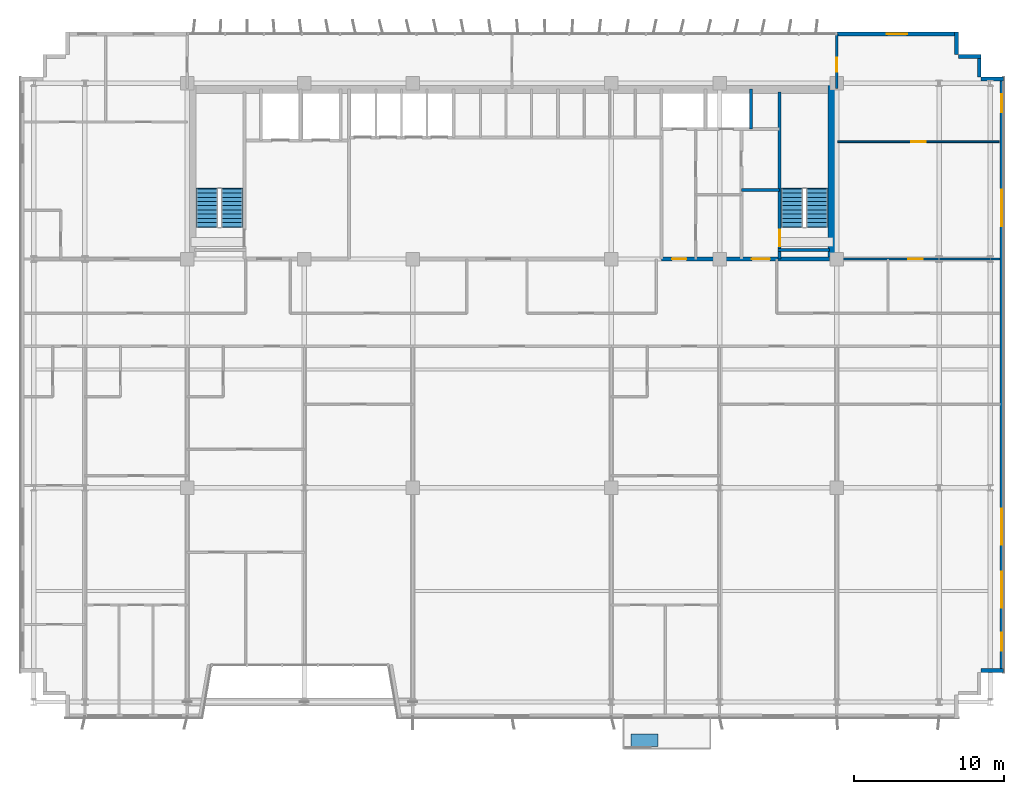
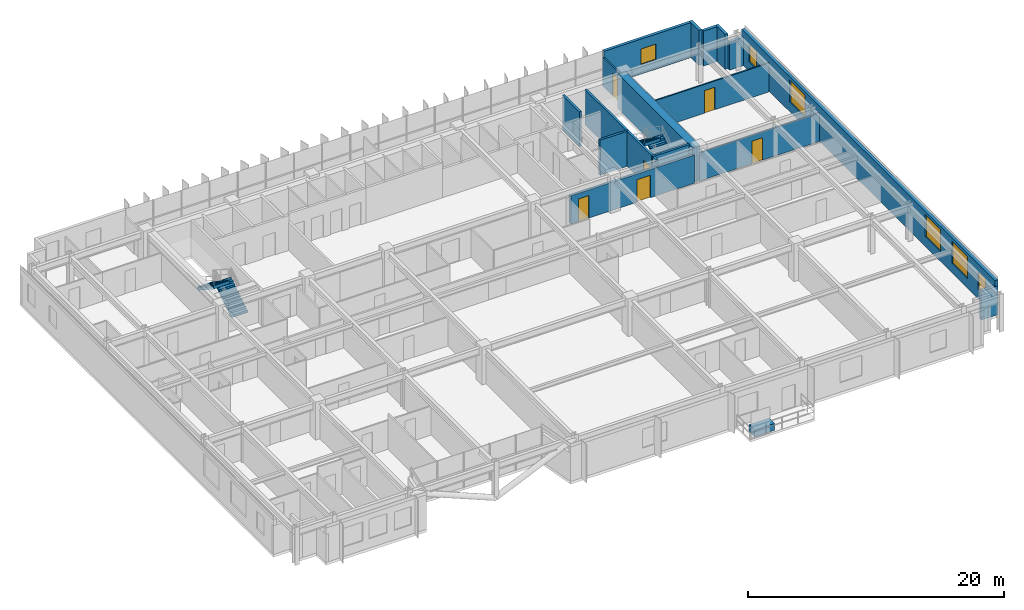
# One storey, part 22 of 25: 16 walls, 6 doors, 6 windows, 4 stair flights, 1 discrete accessory, 12 openings, 2 elements without a shape of their own.
"""IFC4 building model written with IfcOpenShell, lengths in metres."""

from ifc_helpers import new_model, si_unit, direction, frame, frame_2d, origin, origin_2d, place, context, subcontext, project, spatial, polyline, rectangle, outline, extrude, source, transform, mapped, material, layer, layer_set, type_object, element, fill, aggregate, save


model = new_model("IFC4")

# Units and contexts
model_context = context("Model", 3, precision=1e-05, world=origin(), true_north=direction((0.0, 1.0)))
body_context = subcontext(model_context, "Body", "Model", "MODEL_VIEW")
ifc_project = project(units=[si_unit("LENGTHUNIT", "METRE"), si_unit("AREAUNIT", "SQUARE_METRE"), si_unit("VOLUMEUNIT", "CUBIC_METRE"), si_unit("PLANEANGLEUNIT", "RADIAN"), si_unit("MASSUNIT", "GRAM", prefix="KILO")], contexts=[model_context])

# Site, building, storey
site_placement = place(None, origin())
site = spatial("IfcSite", under=ifc_project, at=site_placement, CompositionType="ELEMENT")
building_placement = place(site_placement, origin())
building = spatial("IfcBuilding", under=site, at=building_placement, Name="Trelvane Seafront Commons", CompositionType="ELEMENT")
storey_placement = place(building_placement, frame((0.0, 0.0, 66.699951171875)))
storey = spatial("IfcBuildingStorey", under=building, at=storey_placement, Name="L17", CompositionType="ELEMENT", Elevation=66.699951171875)

# Wall, opening, window
ifc_material_1 = material(Name="Precast concrete C40/50", Category="concrete")
ifc_layer_1 = layer(ifc_material_1, 0.260009765625, Name="ARCH-WALL-EXT260")
ifc_layer_set_1 = layer_set([ifc_layer_1], Name="Precast concrete C40/50")
wall_type_1 = type_object("IfcWallType", Name="ARCH-WALL-EXT260", PredefinedType="SOLIDWALL", material=ifc_layer_set_1)
wall_1_placement = place(storey_placement, frame((58.800048828125, 48.3701171875, 0.0), z_axis=(0.0, 0.0, 1.0), x_axis=(1.0, 0.0, 0.0)))
wall_1 = element("IfcWall", 1, at=wall_1_placement, inside=storey, type_object=wall_type_1, Name="EW-L17-NE-0302", PredefinedType="SOLIDWALL", context=body_context, shape_type="SweptSolid", body=[
    extrude(rectangle(XDim=8.0, YDim=0.260009765625, at=frame_2d((4.0, 0.0))), origin(), (0.0, 0.0, 1.0), 3.340087890625),
])
opening_1_placement = place(wall_1_placement, frame((3.324951171875, 0.0, 0.89990234375)))
opening_1 = element("IfcOpeningElement", 2, at=opening_1_placement, cuts=wall_1, Name="Opening W09", PredefinedType="OPENING", context=body_context, shape_type="SweptSolid", body=[
    extrude(rectangle(XDim=1.35009765625, YDim=1.5, at=frame_2d((0.675048828125, 0.75))), frame((0.0, 0.139892578125, 0.0), z_axis=(0.0, -1.0, 0.0), x_axis=(1.0, 0.0, 0.0)), (0.0, 0.0, 1.0), 0.280029296875),
])
ifc_material_2 = material(Name="Low-E coastal double glazing", Category="glass")
window_type_1 = type_object("IfcWindowType", Name="ARCH-WIN-W09", PartitioningType="SINGLE_PANEL", PredefinedType="WINDOW", material=ifc_material_2)
shared_shape_1 = source(origin(), body_context, "Body", "SweptSolid", [
    extrude(rectangle(XDim=1.35009765625, YDim=1.5, at=frame_2d((0.675048828125, 0.75))), frame((0.0, 0.030029296875, 0.0), z_axis=(0.0, -1.0, 0.0), x_axis=(1.0, 0.0, 0.0)), (0.0, 0.0, 1.0), 0.06005859375),
])
window_1_placement = place(opening_1_placement, origin())
window_1 = element("IfcWindow", 3, at=window_1_placement, inside=storey, type_object=window_type_1, Name="WIN-L17-00357", OverallHeight=1.5, OverallWidth=1.35009765625, PartitioningType="SINGLE_PANEL", PredefinedType="WINDOW", context=body_context, shape_type="MappedRepresentation", body=[
    mapped(shared_shape_1, transform((0.0, 0.0, 0.0), x_axis=(1.0, 0.0, 0.0), y_axis=(0.0, 1.0, 0.0), z_axis=(0.0, 0.0, 1.0), scale=1.0)),
])
fill(opening_1, window_1)

# Walls
for number, where, z_axis, x_axis, name in (
    (4, (66.77001953125, 48.5, 0.0), (0.0, 0.0, 1.0), (0.0, -1.0, 0.0), "EW-L17-00311"),
    (5, (66.89990234375, 46.8701171875, 0.0), (0.0, 0.0, 1.0), (1.0, 0.0, 0.0), "EW-L17-00312"),
    (6, (68.27001953125, 47.0, 0.0), (0.0, 0.0, 1.0), (0.0, -1.0, 0.0), "EW-L17-00313"),
):
    element("IfcWall", number, at=place(storey_placement, frame(where, z_axis=z_axis, x_axis=x_axis)), inside=storey, type_object=wall_type_1, Name=name, PredefinedType="SOLIDWALL", context=body_context, shape_type="SweptSolid", body=[
        extrude(rectangle(XDim=1.5, YDim=0.260009765625, at=frame_2d((0.75, 0.0))), origin(), (0.0, 0.0, 1.0), 3.340087890625),
    ])
wall_2_placement = place(storey_placement, frame((68.39990234375, 45.3701171875, 0.0), z_axis=(0.0, 0.0, 1.0), x_axis=(1.0, 0.0, 0.0)))
element("IfcWall", 7, at=wall_2_placement, inside=storey, type_object=wall_type_1, Name="EW-L17-00314", PredefinedType="SOLIDWALL", context=body_context, shape_type="SweptSolid", body=[
    extrude(rectangle(XDim=1.5, YDim=0.260009765625, at=frame_2d((0.75, 0.0))), origin(), (0.0, 0.0, 1.0), 2.68994140625),
])

# Wall, openings, windows
wall_3_placement = place(storey_placement, frame((69.77001953125, 45.5, 0.0), z_axis=(0.0, 0.0, 1.0), x_axis=(0.0, -1.0, 0.0)))
wall_3 = element("IfcWall", 8, at=wall_3_placement, inside=storey, type_object=wall_type_1, Name="EW-L17-00315", PredefinedType="SOLIDWALL", context=body_context, shape_type="SweptSolid", body=[
    extrude(rectangle(XDim=39.60009765625, YDim=0.260009765625, at=frame_2d((19.800048828125, 0.0))), origin(), (0.0, 0.0, 1.0), 3.340087890625),
])
opening_2_placement = place(wall_3_placement, frame((36.949951171875, 0.0, 0.919921875)))
opening_2 = element("IfcOpeningElement", 9, at=opening_2_placement, cuts=wall_3, Name="Opening W05", PredefinedType="OPENING", context=body_context, shape_type="SweptSolid", body=[
    extrude(rectangle(XDim=1.199951171875, YDim=1.64990234375, at=frame_2d((0.60009765625, 0.824951171875))), frame((0.0, 0.139892578125, 0.0), z_axis=(0.0, -1.0, 0.0), x_axis=(1.0, 0.0, 0.0)), (0.0, 0.0, 1.0), 0.280029296875),
])
opening_3_placement = place(wall_3_placement, frame((32.89990234375, 0.0, 0.919921875)))
opening_3 = element("IfcOpeningElement", 10, at=opening_3_placement, cuts=wall_3, Name="Opening W08", PredefinedType="OPENING", context=body_context, shape_type="SweptSolid", body=[
    extrude(rectangle(XDim=2.39990234375, YDim=2.10009765625, at=frame_2d((1.199951171875, 1.050048828125))), frame((0.0, 0.139892578125, 0.0), z_axis=(0.0, -1.0, 0.0), x_axis=(1.0, 0.0, 0.0)), (0.0, 0.0, 1.0), 0.280029296875),
])
opening_4_placement = place(wall_3_placement, frame((28.699951171875, 0.0, 0.919921875)))
opening_4 = element("IfcOpeningElement", 11, at=opening_4_placement, cuts=wall_3, Name="Opening W08", PredefinedType="OPENING", context=body_context, shape_type="SweptSolid", body=[
    extrude(rectangle(XDim=2.39990234375, YDim=2.10009765625, at=frame_2d((1.199951171875, 1.050048828125))), frame((0.0, 0.139892578125, 0.0), z_axis=(0.0, -1.0, 0.0), x_axis=(1.0, 0.0, 0.0)), (0.0, 0.0, 1.0), 0.280029296875),
])
opening_5_placement = place(wall_3_placement, frame((7.5, 0.0, 0.919921875)))
opening_5 = element("IfcOpeningElement", 12, at=opening_5_placement, cuts=wall_3, Name="Opening W08", PredefinedType="OPENING", context=body_context, shape_type="SweptSolid", body=[
    extrude(rectangle(XDim=2.39990234375, YDim=2.10009765625, at=frame_2d((1.199951171875, 1.050048828125))), frame((0.0, 0.139892578125, 0.0), z_axis=(0.0, -1.0, 0.0), x_axis=(1.0, 0.0, 0.0)), (0.0, 0.0, 1.0), 0.280029296875),
])
opening_6_placement = place(wall_3_placement, frame((1.14990234375, 0.0, 0.919921875)))
opening_6 = element("IfcOpeningElement", 13, at=opening_6_placement, cuts=wall_3, Name="Opening W05", PredefinedType="OPENING", context=body_context, shape_type="SweptSolid", body=[
    extrude(rectangle(XDim=1.199951171875, YDim=1.64990234375, at=frame_2d((0.60009765625, 0.824951171875))), frame((0.0, 0.139892578125, 0.0), z_axis=(0.0, -1.0, 0.0), x_axis=(1.0, 0.0, 0.0)), (0.0, 0.0, 1.0), 0.280029296875),
])
window_type_2 = type_object("IfcWindowType", Name="ARCH-WIN-W08", PartitioningType="SINGLE_PANEL", PredefinedType="WINDOW", material=ifc_material_2)
shared_shape_2 = source(origin(), body_context, "Body", "SweptSolid", [
    extrude(rectangle(XDim=2.39990234375, YDim=2.10009765625, at=frame_2d((1.199951171875, 1.050048828125))), frame((0.0, 0.030029296875, 0.0), z_axis=(0.0, -1.0, 0.0), x_axis=(1.0, 0.0, 0.0)), (0.0, 0.0, 1.0), 0.06005859375),
])
window_2_placement = place(opening_3_placement, origin())
window_2 = element("IfcWindow", 14, at=window_2_placement, inside=storey, type_object=window_type_2, Name="WIN-L17-EW-00364", OverallHeight=2.10009765625, OverallWidth=2.39990234375, PartitioningType="SINGLE_PANEL", PredefinedType="WINDOW", context=body_context, shape_type="MappedRepresentation", body=[
    mapped(shared_shape_2, transform((0.0, 0.0, 0.0), x_axis=(1.0, 0.0, 0.0), y_axis=(0.0, 1.0, 0.0), z_axis=(0.0, 0.0, 1.0), scale=1.0)),
])
fill(opening_3, window_2)
window_3_placement = place(opening_4_placement, origin())
window_3 = element("IfcWindow", 15, at=window_3_placement, inside=storey, type_object=window_type_2, Name="WIN-L17-EW-00365", OverallHeight=2.10009765625, OverallWidth=2.39990234375, PartitioningType="SINGLE_PANEL", PredefinedType="WINDOW", context=body_context, shape_type="MappedRepresentation", body=[
    mapped(shared_shape_2, transform((0.0, 0.0, 0.0), x_axis=(1.0, 0.0, 0.0), y_axis=(0.0, 1.0, 0.0), z_axis=(0.0, 0.0, 1.0), scale=1.0)),
])
fill(opening_4, window_3)
window_4_placement = place(opening_5_placement, origin())
window_4 = element("IfcWindow", 16, at=window_4_placement, inside=storey, type_object=window_type_2, Name="WIN-L17-EW-00366", OverallHeight=2.10009765625, OverallWidth=2.39990234375, PartitioningType="SINGLE_PANEL", PredefinedType="WINDOW", context=body_context, shape_type="MappedRepresentation", body=[
    mapped(shared_shape_2, transform((0.0, 0.0, 0.0), x_axis=(1.0, 0.0, 0.0), y_axis=(0.0, 1.0, 0.0), z_axis=(0.0, 0.0, 1.0), scale=1.0)),
])
fill(opening_5, window_4)
window_type_3 = type_object("IfcWindowType", Name="ARCH-WIN-W05", PartitioningType="SINGLE_PANEL", PredefinedType="WINDOW", material=ifc_material_2)
shared_shape_3 = source(origin(), body_context, "Body", "SweptSolid", [
    extrude(rectangle(XDim=1.199951171875, YDim=1.64990234375, at=frame_2d((0.60009765625, 0.824951171875))), frame((0.0, 0.030029296875, 0.0), z_axis=(0.0, -1.0, 0.0), x_axis=(1.0, 0.0, 0.0)), (0.0, 0.0, 1.0), 0.06005859375),
])
window_5_placement = place(opening_2_placement, origin())
window_5 = element("IfcWindow", 17, at=window_5_placement, inside=storey, type_object=window_type_3, Name="WIN-L17-EW-00363", OverallHeight=1.64990234375, OverallWidth=1.199951171875, PartitioningType="SINGLE_PANEL", PredefinedType="WINDOW", context=body_context, shape_type="MappedRepresentation", body=[
    mapped(shared_shape_3, transform((0.0, 0.0, 0.0), x_axis=(1.0, 0.0, 0.0), y_axis=(0.0, 1.0, 0.0), z_axis=(0.0, 0.0, 1.0), scale=1.0)),
])
fill(opening_2, window_5)
window_6_placement = place(opening_6_placement, origin())
window_6 = element("IfcWindow", 18, at=window_6_placement, inside=storey, type_object=window_type_3, Name="WIN-L17-EW-00367", OverallHeight=1.64990234375, OverallWidth=1.199951171875, PartitioningType="SINGLE_PANEL", PredefinedType="WINDOW", context=body_context, shape_type="MappedRepresentation", body=[
    mapped(shared_shape_3, transform((0.0, 0.0, 0.0), x_axis=(1.0, 0.0, 0.0), y_axis=(0.0, 1.0, 0.0), z_axis=(0.0, 0.0, 1.0), scale=1.0)),
])
fill(opening_6, window_6)

# Walls
wall_4_placement = place(storey_placement, frame((69.89990234375, 6.030029296875, 0.0), z_axis=(0.0, 0.0, 1.0), x_axis=(-1.0, 0.0, 0.0)))
element("IfcWall", 19, at=wall_4_placement, inside=storey, type_object=wall_type_1, Name="EW-L17-00316", PredefinedType="SOLIDWALL", context=body_context, shape_type="SweptSolid", body=[
    extrude(rectangle(XDim=1.5, YDim=0.260009765625, at=frame_2d((0.75, 0.0))), origin(), (0.0, 0.0, 1.0), 2.751953125),
])
ifc_material_3 = material(Name="Concrete C40/50", Category="concrete")
ifc_layer_2 = layer(ifc_material_3, 0.199951171875, Name="ARCH-WALL-FIRE200")
ifc_layer_set_2 = layer_set([ifc_layer_2], Name="Concrete C40/50")
wall_type_2 = type_object("IfcWallType", Name="ARCH-WALL-FIRE200", PredefinedType="PARTITIONING", material=ifc_layer_set_2)
wall_5_placement = place(storey_placement, frame((52.449951171875, 38.0, 0.0), z_axis=(0.0, 0.0, 1.0), x_axis=(1.0, 0.0, 0.0)))
element("IfcWall", 20, at=wall_5_placement, inside=storey, type_object=wall_type_2, Name="W-L17-ST2V-N-034", PredefinedType="PARTITIONING", context=body_context, shape_type="SweptSolid", body=[
    extrude(rectangle(XDim=2.550048828125, YDim=0.199951171875, at=frame_2d((1.27490234375, 0.0))), origin(), (0.0, 0.0, 1.0), 3.340087890625),
])

# Wall, openings, doors
ifc_layer_3 = layer(ifc_material_3, 0.25, Name="ARCH-WALL-FIRE250")
ifc_layer_set_3 = layer_set([ifc_layer_3], Name="Concrete C40/50")
wall_type_3 = type_object("IfcWallType", Name="ARCH-WALL-FIRE250", PredefinedType="PARTITIONING", material=ifc_layer_set_3)
wall_6_placement = place(storey_placement, frame((47.14990234375, 33.39990234375, 0.0), z_axis=(0.0, 0.0, 1.0), x_axis=(1.0, 0.0, 0.0)))
wall_6 = element("IfcWall", 21, at=wall_6_placement, inside=storey, type_object=wall_type_3, Name="W-L17-CS-EAST-037", PredefinedType="PARTITIONING", context=body_context, shape_type="SweptSolid", body=[
    extrude(rectangle(XDim=11.150146484375, YDim=0.25, at=frame_2d((5.5751953125, 0.0))), origin(), (0.0, 0.0, 1.0), 2.68994140625),
])
opening_7_placement = place(wall_6_placement, frame((0.699951171875, 0.0, 0.0)))
opening_7 = element("IfcOpeningElement", 22, at=opening_7_placement, cuts=wall_6, Name="Opening FD-L17-16", PredefinedType="OPENING", context=body_context, shape_type="SweptSolid", body=[
    extrude(rectangle(XDim=0.949951171875, YDim=2.14990234375, at=frame_2d((0.47509765625, 1.074951171875))), frame((0.0, 0.135009765625, 0.0), z_axis=(0.0, -1.0, 0.0), x_axis=(1.0, 0.0, 0.0)), (0.0, 0.0, 1.0), 0.27001953125),
])
opening_8_placement = place(wall_6_placement, frame((6.0, 0.0, 0.0)))
opening_8 = element("IfcOpeningElement", 23, at=opening_8_placement, cuts=wall_6, Name="Opening FD-L17-17", PredefinedType="OPENING", context=body_context, shape_type="SweptSolid", body=[
    extrude(rectangle(XDim=1.199951171875, YDim=2.14990234375, at=frame_2d((0.60009765625, 1.074951171875))), frame((0.0, 0.135009765625, 0.0), z_axis=(0.0, -1.0, 0.0), x_axis=(1.0, 0.0, 0.0)), (0.0, 0.0, 1.0), 0.27001953125),
])
ifc_material_4 = material(Name="Powder-coated aluminium frame", Category="aluminium")
door_type_1 = type_object("IfcDoorType", Name="ARCH-DR-FD60-950", OperationType="NOTDEFINED", PredefinedType="DOOR", material=ifc_material_4)
shared_shape_4 = source(origin(), body_context, "Body", "SweptSolid", [
    extrude(rectangle(XDim=0.949951171875, YDim=2.14990234375, at=frame_2d((0.47509765625, 1.074951171875))), frame((0.0, 0.02490234375, 0.0), z_axis=(0.0, -1.0, 0.0), x_axis=(1.0, 0.0, 0.0)), (0.0, 0.0, 1.0), 0.050048828125),
])
door_1_placement = place(opening_7_placement, origin())
door_1 = element("IfcDoor", 24, at=door_1_placement, inside=storey, type_object=door_type_1, Name="L17 Core Service Lobby Door", OperationType="SINGLE_SWING_RIGHT", OverallHeight=2.14990234375, OverallWidth=0.949951171875, PredefinedType="DOOR", context=body_context, shape_type="MappedRepresentation", body=[
    mapped(shared_shape_4, transform((0.0, 0.0, 0.0), x_axis=(1.0, 0.0, 0.0), y_axis=(0.0, 1.0, 0.0), z_axis=(0.0, 0.0, 1.0), scale=1.0)),
])
fill(opening_7, door_1)
door_type_2 = type_object("IfcDoorType", Name="ARCH-DR-FD60-1200", OperationType="NOTDEFINED", PredefinedType="DOOR", material=ifc_material_4)
shared_shape_5 = source(origin(), body_context, "Body", "SweptSolid", [
    extrude(rectangle(XDim=1.199951171875, YDim=2.14990234375, at=frame_2d((0.60009765625, 1.074951171875))), frame((0.0, 0.02490234375, 0.0), z_axis=(0.0, -1.0, 0.0), x_axis=(1.0, 0.0, 0.0)), (0.0, 0.0, 1.0), 0.050048828125),
])
door_2_placement = place(opening_8_placement, origin())
door_2 = element("IfcDoor", 25, at=door_2_placement, inside=storey, type_object=door_type_2, Name="L17 East Stair Vestibule Fire Door", OperationType="SINGLE_SWING_LEFT", OverallHeight=2.14990234375, OverallWidth=1.199951171875, PredefinedType="DOOR", context=body_context, shape_type="MappedRepresentation", body=[
    mapped(shared_shape_5, transform((0.0, 0.0, 0.0), x_axis=(1.0, 0.0, 0.0), y_axis=(0.0, 1.0, 0.0), z_axis=(0.0, 0.0, 1.0), scale=1.0)),
])
fill(opening_8, door_2)

# Wall, opening, door
ifc_material_5 = material(Name="Gypsum Drywall Acoustic Partition")
ifc_layer_4 = layer(ifc_material_5, 0.1201171875, Name="ARCH-WALL-PART120")
ifc_layer_set_4 = layer_set([ifc_layer_4], Name="Gypsum Drywall Acoustic Partition")
wall_type_4 = type_object("IfcWallType", Name="ARCH-WALL-PART120", PredefinedType="PARTITIONING", material=ifc_layer_set_4)
wall_7_placement = place(storey_placement, frame((58.85009765625, 41.199951171875, 0.0), z_axis=(0.0, 0.0, 1.0), x_axis=(1.0, 0.0, 0.0)))
wall_7 = element("IfcWall", 26, at=wall_7_placement, inside=storey, type_object=wall_type_4, Name="W-L17-NE-LGDV-055", PredefinedType="PARTITIONING", context=body_context, shape_type="SweptSolid", body=[
    extrude(rectangle(XDim=10.75, YDim=0.1201171875, at=frame_2d((5.375, 0.0))), origin(), (0.0, 0.0, 1.0), 2.751953125),
])
opening_9_placement = place(wall_7_placement, frame((4.89990234375, 0.0, 0.0)))
opening_9 = element("IfcOpeningElement", 27, at=opening_9_placement, cuts=wall_7, Name="Opening D-L17-27", PredefinedType="OPENING", context=body_context, shape_type="SweptSolid", body=[
    extrude(rectangle(XDim=0.949951171875, YDim=2.14990234375, at=frame_2d((0.47509765625, 1.074951171875))), frame((0.0, 0.070068359375, 0.0), z_axis=(0.0, -1.0, 0.0), x_axis=(1.0, 0.0, 0.0)), (0.0, 0.0, 1.0), 0.14013671875),
])
ifc_material_6 = material(Name="Acoustic timber door leaf", Category="wood")
door_type_3 = type_object("IfcDoorType", Name="ARCH-DR-INT950", OperationType="NOTDEFINED", PredefinedType="DOOR", material=ifc_material_6)
door_3_placement = place(opening_9_placement, origin())
door_3 = element("IfcDoor", 28, at=door_3_placement, inside=storey, type_object=door_type_3, Name="L17 Door 27", OperationType="SINGLE_SWING_LEFT", OverallHeight=2.14990234375, OverallWidth=0.949951171875, PredefinedType="DOOR", context=body_context, shape_type="MappedRepresentation", body=[
    mapped(shared_shape_4, transform((0.0, 0.0, 0.0), x_axis=(1.0, 0.0, 0.0), y_axis=(0.0, 1.0, 0.0), z_axis=(0.0, 0.0, 1.0), scale=1.0)),
])
fill(opening_9, door_3)

ifc_layer_5 = layer(ifc_material_5, 0.14990234375, Name="ARCH-WALL-PART150")
ifc_layer_set_5 = layer_set([ifc_layer_5], Name="Gypsum Drywall Acoustic Partition")
wall_type_5 = type_object("IfcWallType", Name="ARCH-WALL-PART150", PredefinedType="PARTITIONING", material=ifc_layer_set_5)
wall_8_placement = place(storey_placement, frame((58.800048828125, 33.39990234375, 0.0), z_axis=(0.0, 0.0, 1.0), x_axis=(1.0, 0.0, 0.0)))
wall_8 = element("IfcWall", 29, at=wall_8_placement, inside=storey, type_object=wall_type_5, Name="W-L17-NE-ENT-056", PredefinedType="PARTITIONING", context=body_context, shape_type="SweptSolid", body=[
    extrude(rectangle(XDim=10.849853515625, YDim=0.14990234375, at=frame_2d((5.4248046875, 0.0))), origin(), (0.0, 0.0, 1.0), 2.68994140625),
])
opening_10_placement = place(wall_8_placement, frame((4.760009765625, 0.0, 0.0)))
opening_10 = element("IfcOpeningElement", 30, at=opening_10_placement, cuts=wall_8, Name="Opening FD-L17-28", PredefinedType="OPENING", context=body_context, shape_type="SweptSolid", body=[
    extrude(rectangle(XDim=0.949951171875, YDim=2.14990234375, at=frame_2d((0.47509765625, 1.074951171875))), frame((0.0, 0.0849609375, 0.0), z_axis=(0.0, -1.0, 0.0), x_axis=(1.0, 0.0, 0.0)), (0.0, 0.0, 1.0), 0.169921875),
])
door_4_placement = place(opening_10_placement, origin())
door_4 = element("IfcDoor", 31, at=door_4_placement, inside=storey, type_object=door_type_1, Name="L17 NE Suite Entrance Door", OperationType="SINGLE_SWING_RIGHT", OverallHeight=2.14990234375, OverallWidth=0.949951171875, PredefinedType="DOOR", context=body_context, shape_type="MappedRepresentation", body=[
    mapped(shared_shape_4, transform((0.0, 0.0, 0.0), x_axis=(1.0, 0.0, 0.0), y_axis=(0.0, 1.0, 0.0), z_axis=(0.0, 0.0, 1.0), scale=1.0)),
])
fill(opening_10, door_4)

wall_9_placement = place(storey_placement, frame((58.800048828125, 44.75, 0.0), z_axis=(0.0, 0.0, 1.0), x_axis=(0.0, 1.0, 0.0)))
wall_9 = element("IfcWall", 32, at=wall_9_placement, inside=storey, type_object=wall_type_5, Name="W-L17-N-LINK-E-059", PredefinedType="PARTITIONING", context=body_context, shape_type="SweptSolid", body=[
    extrude(rectangle(XDim=3.610107421875, YDim=0.14990234375, at=frame_2d((1.80517578125, 0.0))), origin(), (0.0, 0.0, 1.0), 2.751953125),
])
opening_11_placement = place(wall_9_placement, frame((1.10009765625, 0.0, 0.0)))
opening_11 = element("IfcOpeningElement", 33, at=opening_11_placement, cuts=wall_9, Name="Opening FD-L17-31", PredefinedType="OPENING", context=body_context, shape_type="SweptSolid", body=[
    extrude(rectangle(XDim=0.949951171875, YDim=2.14990234375, at=frame_2d((0.47509765625, 1.074951171875))), frame((0.0, 0.0849609375, 0.0), z_axis=(0.0, -1.0, 0.0), x_axis=(1.0, 0.0, 0.0)), (0.0, 0.0, 1.0), 0.169921875),
])
door_5_placement = place(opening_11_placement, origin())
door_5 = element("IfcDoor", 34, at=door_5_placement, inside=storey, type_object=door_type_1, Name="L17 Door 31", OperationType="SINGLE_SWING_LEFT", OverallHeight=2.14990234375, OverallWidth=0.949951171875, PredefinedType="DOOR", context=body_context, shape_type="MappedRepresentation", body=[
    mapped(shared_shape_4, transform((0.0, 0.0, 0.0), x_axis=(1.0, 0.0, 0.0), y_axis=(0.0, 1.0, 0.0), z_axis=(0.0, 0.0, 1.0), scale=1.0)),
])
fill(opening_11, door_5)

# Walls
ifc_layer_6 = layer(ifc_material_3, 0.199951171875, Name="ARCH-WALL-SHAFT200")
ifc_layer_set_6 = layer_set([ifc_layer_6], Name="Concrete C40/50")
wall_type_6 = type_object("IfcWallType", Name="ARCH-WALL-SHAFT200", PredefinedType="SOLIDWALL", material=ifc_layer_set_6)
wall_10_placement = place(storey_placement, frame((53.10009765625, 42.050048828125, 0.0), z_axis=(0.0, 0.0, 1.0), x_axis=(0.0, 1.0, 0.0)))
element("IfcWall", 35, at=wall_10_placement, inside=storey, type_object=wall_type_6, Name="W-L17-RSR-E-032", PredefinedType="SOLIDWALL", context=body_context, shape_type="SweptSolid", body=[
    extrude(rectangle(XDim=2.64990234375, YDim=0.199951171875, at=frame_2d((1.324951171875, 0.0))), origin(), (0.0, 0.0, 1.0), 3.340087890625),
])
ifc_material_7 = material(Name="Concrete C60/75", Category="concrete")
ifc_layer_7 = layer(ifc_material_7, 0.699951171875, Name="STR-WALL-CORE700")
ifc_layer_set_7 = layer_set([ifc_layer_7], Name="Concrete C60/75")
wall_type_7 = type_object("IfcWallType", Name="STR-WALL-CORE700", PredefinedType="SHEAR", material=ifc_layer_set_7)
wall_11_placement = place(storey_placement, frame((58.550048828125, 33.39990234375, 0.0), z_axis=(0.0, 0.0, 1.0), x_axis=(0.0, 1.0, 0.0)))
element("IfcWall", 36, at=wall_11_placement, inside=storey, type_object=wall_type_7, Name="W-L17-CE-END-003", PredefinedType="SHEAR", context=body_context, shape_type="SweptSolid", body=[
    extrude(rectangle(XDim=11.7001953125, YDim=0.699951171875, at=frame_2d((5.85009765625, 0.0))), origin(), (0.0, 0.0, 1.0), 3.340087890625),
])
ifc_material_8 = material(Name="Concrete C50/60", Category="concrete")
ifc_layer_8 = layer(ifc_material_8, 0.199951171875, Name="STR-WALL-STAIR200")
ifc_layer_set_8 = layer_set([ifc_layer_8], Name="Concrete C50/60")
wall_type_8 = type_object("IfcWallType", Name="STR-WALL-STAIR200", PredefinedType="SHEAR", material=ifc_layer_set_8)
wall_12_placement = place(storey_placement, frame((54.89990234375, 34.0, 0.0), z_axis=(0.0, 0.0, 1.0), x_axis=(1.0, 0.0, 0.0)))
element("IfcWall", 37, at=wall_12_placement, inside=storey, type_object=wall_type_8, Name="W-L17-ST2-S-006", PredefinedType="SHEAR", context=body_context, shape_type="SweptSolid", body=[
    extrude(rectangle(XDim=3.400146484375, YDim=0.199951171875, at=frame_2d((1.7001953125, 0.0))), origin(), (0.0, 0.0, 1.0), 3.340087890625),
])

# Wall, opening, door
wall_13_placement = place(storey_placement, frame((55.0, 33.39990234375, 0.0), z_axis=(0.0, 0.0, 1.0), x_axis=(0.0, 1.0, 0.0)))
wall_13 = element("IfcWall", 38, at=wall_13_placement, inside=storey, type_object=wall_type_8, Name="W-L17-ST2-W-007", PredefinedType="SHEAR", context=body_context, shape_type="SweptSolid", body=[
    extrude(rectangle(XDim=11.10009765625, YDim=0.199951171875, at=frame_2d((5.550048828125, 0.0))), origin(), (0.0, 0.0, 1.0), 3.340087890625),
])
opening_12_placement = place(wall_13_placement, frame((0.85009765625, 0.0, 0.0)))
opening_12 = element("IfcOpeningElement", 39, at=opening_12_placement, cuts=wall_13, Name="Opening ST-D2-L17", PredefinedType="OPENING", context=body_context, shape_type="SweptSolid", body=[
    extrude(rectangle(XDim=1.10009765625, YDim=2.14990234375, at=frame_2d((0.550048828125, 1.074951171875))), frame((0.0, 0.10986328125, 0.0), z_axis=(0.0, -1.0, 0.0), x_axis=(1.0, 0.0, 0.0)), (0.0, 0.0, 1.0), 0.219970703125),
])
door_type_4 = type_object("IfcDoorType", Name="ARCH-DR-FD90-1100", OperationType="NOTDEFINED", PredefinedType="DOOR", material=ifc_material_4)
shared_shape_6 = source(origin(), body_context, "Body", "SweptSolid", [
    extrude(rectangle(XDim=1.10009765625, YDim=2.14990234375, at=frame_2d((0.550048828125, 1.074951171875))), frame((0.0, 0.02490234375, 0.0), z_axis=(0.0, -1.0, 0.0), x_axis=(1.0, 0.0, 0.0)), (0.0, 0.0, 1.0), 0.050048828125),
])
door_6_placement = place(opening_12_placement, origin())
door_6 = element("IfcDoor", 40, at=door_6_placement, inside=storey, type_object=door_type_4, Name="L17 Stair ST-2 Vestibule Fire Door", OperationType="SINGLE_SWING_RIGHT", OverallHeight=2.14990234375, OverallWidth=1.10009765625, PredefinedType="DOOR", context=body_context, shape_type="MappedRepresentation", body=[
    mapped(shared_shape_6, transform((0.0, 0.0, 0.0), x_axis=(1.0, 0.0, 0.0), y_axis=(0.0, 1.0, 0.0), z_axis=(0.0, 0.0, 1.0), scale=1.0)),
])
fill(opening_12, door_6)

# Stair, stair flights
stair_type_1 = type_object("IfcStairType", Name="ARCH-STR-ST-1-R20-180", PredefinedType="HALF_TURN_STAIR", material=ifc_material_3)
stair_1_placement = place(storey_placement, origin())
stair_1 = element("IfcStair", 41, at=stair_1_placement, inside=storey, type_object=stair_type_1, Name="L17 West Protected Firefighting Exit Stair ST-1", PredefinedType="HALF_TURN_STAIR")
stair_flight_type_1 = type_object("IfcStairFlightType", Name="ARCH-FLG-ST-1-R20-180", PredefinedType="STRAIGHT", material=ifc_material_3)
shared_shape_7 = source(origin(), body_context, "Body", "SweptSolid", [
    extrude(outline(polyline([(-0.050048828125, -0.02001953125), (-0.050048828125, 0.0), (0.0, 0.0), (0.0, 0.179931640625), (0.280029296875, 0.179931640625), (0.280029296875, 0.360107421875), (0.56005859375, 0.360107421875), (0.56005859375, 0.5400390625), (0.840087890625, 0.5400390625), (0.840087890625, 0.719970703125), (1.1201171875, 0.719970703125), (1.1201171875, 0.89990234375), (1.39990234375, 0.89990234375), (1.39990234375, 1.080078125), (1.679931640625, 1.080078125), (1.679931640625, 1.260009765625), (1.9599609375, 1.260009765625), (1.9599609375, 1.43994140625), (2.239990234375, 1.43994140625), (2.239990234375, 1.6201171875), (2.52001953125, 1.6201171875), (2.52001953125, 1.800048828125), (2.570068359375, 1.800048828125), (2.570068359375, 1.650146484375), (2.52001953125, 1.44189453125), (0.277099609375, -0.02001953125), (-0.050048828125, -0.02001953125)])), frame((0.0, 0.72509765625, 0.0), z_axis=(0.0, -1.0, 0.0), x_axis=(1.0, 0.0, 0.0)), (0.0, 0.0, 1.0), 1.449951171875),
])
stair_flight_1_placement = place(storey_placement, frame((18.574951171875, 35.550048828125, 0.0), z_axis=(0.0, 0.0, 1.0), x_axis=(0.0, 1.0, 0.0)))
stair_flight_1 = element("IfcStairFlight", 42, at=stair_flight_1_placement, type_object=stair_flight_type_1, Name="ST-1 flight 1", NumberOfRisers=10, NumberOfTreads=9, PredefinedType="STRAIGHT", RiserHeight=0.18, TreadLength=0.28, context=body_context, shape_type="MappedRepresentation", body=[
    mapped(shared_shape_7, transform((0.0, 0.0, 0.0), x_axis=(1.0, 0.0, 0.0), y_axis=(0.0, 1.0, 0.0), z_axis=(0.0, 0.0, 1.0), scale=1.0)),
])
stair_flight_2_placement = place(storey_placement, frame((16.925048828125, 38.070068359375, 1.800048828125), z_axis=(0.0, 0.0, 1.0), x_axis=(0.0, -1.0, 0.0)))
stair_flight_2 = element("IfcStairFlight", 43, at=stair_flight_2_placement, type_object=stair_flight_type_1, Name="ST-1 flight 2", NumberOfRisers=10, NumberOfTreads=9, PredefinedType="STRAIGHT", RiserHeight=0.18, TreadLength=0.28, context=body_context, shape_type="MappedRepresentation", body=[
    mapped(shared_shape_7, transform((0.0, 0.0, 0.0), x_axis=(1.0, 0.0, 0.0), y_axis=(0.0, 1.0, 0.0), z_axis=(0.0, 0.0, 1.0), scale=1.0)),
])
aggregate(stair_1, [stair_flight_1, stair_flight_2])

stair_type_2 = type_object("IfcStairType", Name="ARCH-STR-ST-2-R20-180", PredefinedType="HALF_TURN_STAIR", material=ifc_material_3)
stair_2_placement = place(storey_placement, origin())
stair_2 = element("IfcStair", 44, at=stair_2_placement, inside=storey, type_object=stair_type_2, Name="L17 East Protected Firefighting Exit Stair ST-2", PredefinedType="HALF_TURN_STAIR")
stair_flight_type_2 = type_object("IfcStairFlightType", Name="ARCH-FLG-ST-2-R20-180", PredefinedType="STRAIGHT", material=ifc_material_3)
stair_flight_3_placement = place(storey_placement, frame((57.47509765625, 35.550048828125, 0.0), z_axis=(0.0, 0.0, 1.0), x_axis=(0.0, 1.0, 0.0)))
stair_flight_3 = element("IfcStairFlight", 45, at=stair_flight_3_placement, type_object=stair_flight_type_2, Name="ST-2 flight 1", NumberOfRisers=10, NumberOfTreads=9, PredefinedType="STRAIGHT", RiserHeight=0.18, TreadLength=0.28, context=body_context, shape_type="MappedRepresentation", body=[
    mapped(shared_shape_7, transform((0.0, 0.0, 0.0), x_axis=(1.0, 0.0, 0.0), y_axis=(0.0, 1.0, 0.0), z_axis=(0.0, 0.0, 1.0), scale=1.0)),
])
stair_flight_4_placement = place(storey_placement, frame((55.824951171875, 38.070068359375, 1.800048828125), z_axis=(0.0, 0.0, 1.0), x_axis=(0.0, -1.0, 0.0)))
stair_flight_4 = element("IfcStairFlight", 46, at=stair_flight_4_placement, type_object=stair_flight_type_2, Name="ST-2 flight 2", NumberOfRisers=10, NumberOfTreads=9, PredefinedType="STRAIGHT", RiserHeight=0.18, TreadLength=0.28, context=body_context, shape_type="MappedRepresentation", body=[
    mapped(shared_shape_7, transform((0.0, 0.0, 0.0), x_axis=(1.0, 0.0, 0.0), y_axis=(0.0, 1.0, 0.0), z_axis=(0.0, 0.0, 1.0), scale=1.0)),
])
aggregate(stair_2, [stair_flight_3, stair_flight_4])

# Discrete accessory
discrete_accessory_type = type_object("IfcDiscreteAccessoryType", Name="ARCH-ACC-PLANTER", PredefinedType="USERDEFINED", material=ifc_material_1)
shared_shape_8 = source(origin(), body_context, "Body", "SweptSolid", [
    extrude(rectangle(XDim=1.800048828125, YDim=0.85009765625, at=origin_2d()), origin(), (0.0, 0.0, 1.0), 0.64990234375),
])
discrete_accessory_placement = place(storey_placement, frame((46.0, 1.39990234375, 0.0), z_axis=(0.0, 0.0, 1.0), x_axis=(1.0, 0.0, 0.0)))
element("IfcDiscreteAccessory", 47, at=discrete_accessory_placement, inside=storey, type_object=discrete_accessory_type, Name="PLN-L17-B0-022", ObjectType="BALCONY TREE PLANTER", PredefinedType="USERDEFINED", context=body_context, shape_type="MappedRepresentation", body=[
    mapped(shared_shape_8, transform((0.0, 0.0, 0.0), x_axis=(1.0, 0.0, 0.0), y_axis=(0.0, 1.0, 0.0), z_axis=(0.0, 0.0, 1.0), scale=1.0)),
])

save(model, "model.ifc")
